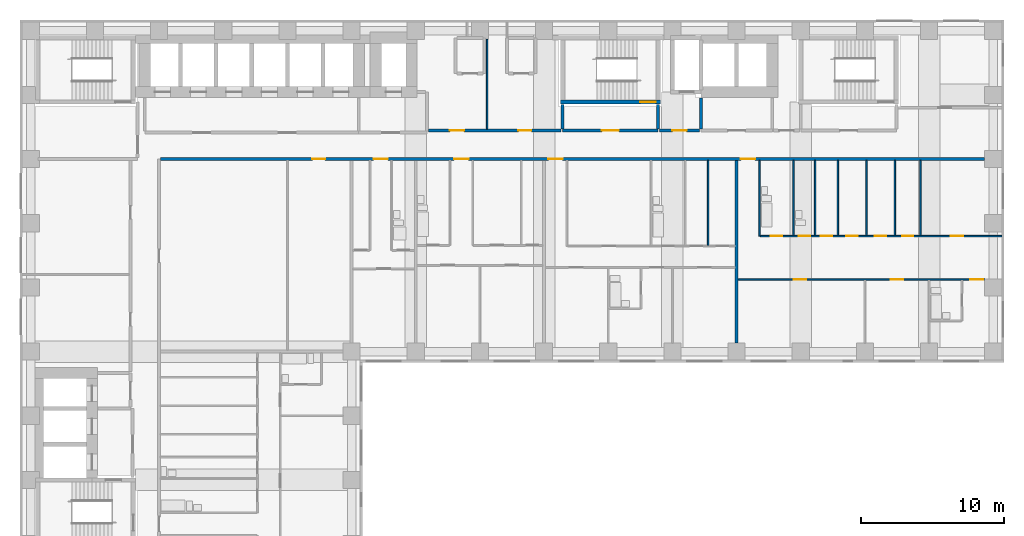
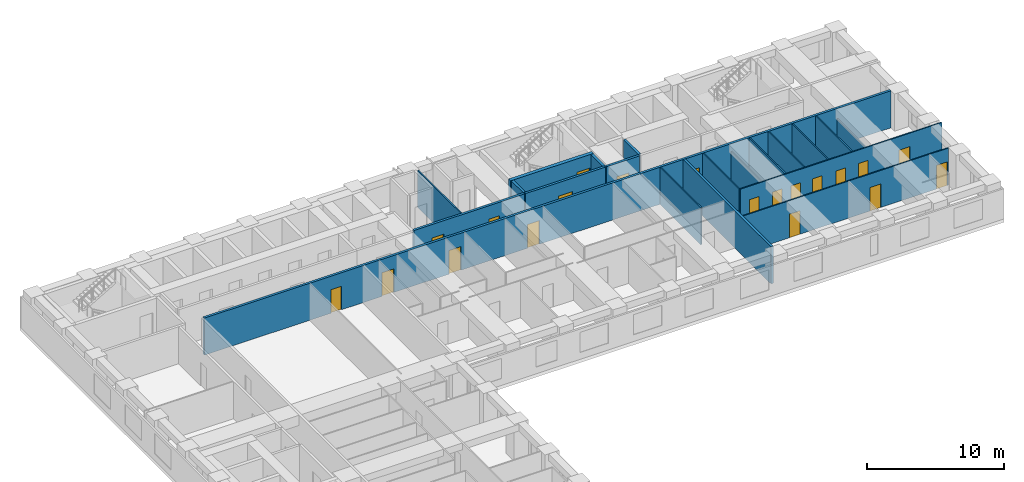
# One storey, part 7 of 12: 20 doors, 20 walls, 20 openings.
"""IFC4 building model written with IfcOpenShell, lengths in metres."""

from ifc_helpers import new_model, si_unit, direction, frame, frame_2d, origin, place, context, subcontext, project, spatial, rectangle, extrude, material, layer, layer_set, type_object, element, fill, save


model = new_model("IFC4")

# Units and contexts
model_context = context("Model", 3, precision=1e-05, world=origin(), true_north=direction((0.0, 1.0)))
body_context = subcontext(model_context, "Body", "Model", "MODEL_VIEW")
ifc_project = project(units=[si_unit("LENGTHUNIT", "METRE"), si_unit("AREAUNIT", "SQUARE_METRE"), si_unit("VOLUMEUNIT", "CUBIC_METRE"), si_unit("PLANEANGLEUNIT", "RADIAN"), si_unit("MASSUNIT", "GRAM", prefix="KILO")], contexts=[model_context])

# Site, building, storey
site_placement = place(None, origin())
site = spatial("IfcSite", under=ifc_project, at=site_placement, CompositionType="ELEMENT")
building_placement = place(site_placement, origin())
building = spatial("IfcBuilding", under=site, at=building_placement, Name="Firuza Court", CompositionType="ELEMENT")
storey_placement = place(building_placement, frame((0.0, 0.0, 101.0)))
storey = spatial("IfcBuildingStorey", under=building, at=storey_placement, Name="L25", CompositionType="ELEMENT", Elevation=101.0)

# Walls
ifc_material_1 = material(Name="Moisture-resistant gypsum board partition")
ifc_layer_1 = layer(ifc_material_1, 0.10009765625)
ifc_layer_set_1 = layer_set([ifc_layer_1], Name="Moisture-resistant gypsum board partition")
wall_type_1 = type_object("IfcWallType", Name="Bathroom partition 100", PredefinedType="PLUMBINGWALL", material=ifc_layer_set_1)
wall_1_placement = place(storey_placement, frame((51.10009765625, 44.10009765625, 0.0), z_axis=(0.0, 0.0, 1.0), x_axis=(0.0, 1.0, 0.0)))
element("IfcWall", 1, at=wall_1_placement, inside=storey, type_object=wall_type_1, Name="Bathroom partition 100 L25", PredefinedType="PLUMBINGWALL", context=body_context, shape_type="SweptSolid", body=[
    extrude(rectangle(XDim=5.2998046875, YDim=0.10009765625, at=frame_2d((2.64990234375, 0.0))), origin(), (0.0, 0.0, 1.0), 3.300048828125),
])
wall_2_placement = place(storey_placement, frame((53.5, 44.14990234375, 0.0), z_axis=(0.0, 0.0, 1.0), x_axis=(0.0, 1.0, 0.0)))
element("IfcWall", 2, at=wall_2_placement, inside=storey, type_object=wall_type_1, Name="Bathroom partition 100 L25", PredefinedType="PLUMBINGWALL", context=body_context, shape_type="SweptSolid", body=[
    extrude(rectangle(XDim=5.25, YDim=0.10009765625, at=frame_2d((2.625, 0.0))), origin(), (0.0, 0.0, 1.0), 2.60009765625),
])
wall_3_placement = place(storey_placement, frame((55.0, 44.14990234375, 0.0), z_axis=(0.0, 0.0, 1.0), x_axis=(0.0, 1.0, 0.0)))
element("IfcWall", 3, at=wall_3_placement, inside=storey, type_object=wall_type_1, Name="Bathroom partition 100 L25", PredefinedType="PLUMBINGWALL", context=body_context, shape_type="SweptSolid", body=[
    extrude(rectangle(XDim=5.25, YDim=0.10009765625, at=frame_2d((2.625, 0.0))), origin(), (0.0, 0.0, 1.0), 3.300048828125),
])

# Wall, opening, door
ifc_material_2 = material(Name="Concrete C60/75", Category="concrete")
ifc_layer_2 = layer(ifc_material_2, 0.300048828125)
ifc_layer_set_2 = layer_set([ifc_layer_2], Name="Concrete C60/75")
wall_type_2 = type_object("IfcWallType", Name="Core wall 300 C60/75", PredefinedType="SHEAR", material=ifc_layer_set_2)
wall_4_placement = place(storey_placement, frame((37.14990234375, 53.5, -0.300048828125), z_axis=(0.0, 0.0, 1.0), x_axis=(1.0, 0.0, 0.0)))
wall_4 = element("IfcWall", 4, at=wall_4_placement, inside=storey, type_object=wall_type_2, Name="Core wall stair L25", PredefinedType="SHEAR", context=body_context, shape_type="SweptSolid", body=[
    extrude(rectangle(XDim=7.0, YDim=0.300048828125, at=frame_2d((3.5, 0.0))), origin(), (0.0, 0.0, 1.0), 3.60009765625),
])
opening_1_placement = place(wall_4_placement, frame((5.580078125, 0.0, 0.300048828125)))
opening_1 = element("IfcOpeningElement", 5, at=opening_1_placement, cuts=wall_4, Name="Opening D25013", PredefinedType="OPENING", context=body_context, shape_type="SweptSolid", body=[
    extrude(rectangle(XDim=1.10009765625, YDim=2.10009765625, at=frame_2d((0.550048828125, 1.050048828125))), frame((0.0, 0.162109375, 0.0), z_axis=(0.0, -1.0, 0.0), x_axis=(1.0, 0.0, 0.0)), (0.0, 0.0, 1.0), 0.323974609375),
])
ifc_material_3 = material(Name="Timber door leaf in hardwood frame", Category="wood")
door_type_1 = type_object("IfcDoorType", Name="Stair door 1100", OperationType="SINGLE_SWING_LEFT", PredefinedType="DOOR", material=ifc_material_3)
door_1_placement = place(opening_1_placement, origin())
door_1 = element("IfcDoor", 6, at=door_1_placement, inside=storey, type_object=door_type_1, Name="Stair door S1", OperationType="SINGLE_SWING_RIGHT", OverallHeight=2.10009765625, OverallWidth=1.10009765625, PredefinedType="DOOR", context=body_context, shape_type="SweptSolid", body=[
    extrude(rectangle(XDim=1.10009765625, YDim=2.10009765625, at=frame_2d((0.550048828125, 1.050048828125))), frame((0.0, 0.02490234375, 0.0), z_axis=(0.0, -1.0, 0.0), x_axis=(1.0, 0.0, 0.0)), (0.0, 0.0, 1.0), 0.050048828125),
])
fill(opening_1, door_1)

# Wall, openings, doors
ifc_material_4 = material(Name="Blockwork, plastered both sides", Category="masonry")
ifc_layer_3 = layer(ifc_material_4, 0.199951171875)
ifc_layer_set_3 = layer_set([ifc_layer_3], Name="Blockwork, plastered both sides")
wall_type_3 = type_object("IfcWallType", Name="Corridor wall 200", PredefinedType="PARTITIONING", material=ifc_layer_set_3)
wall_5_placement = place(storey_placement, frame((9.10009765625, 49.5, 0.0), z_axis=(0.0, 0.0, 1.0), x_axis=(1.0, 0.0, 0.0)))
wall_5 = element("IfcWall", 7, at=wall_5_placement, inside=storey, type_object=wall_type_3, Name="Corridor wall 200 L25", PredefinedType="PARTITIONING", context=body_context, shape_type="SweptSolid", body=[
    extrude(rectangle(XDim=57.7998046875, YDim=0.199951171875, at=frame_2d((28.89990234375, 0.0))), origin(), (0.0, 0.0, 1.0), 3.300048828125),
])
opening_2_placement = place(wall_5_placement, frame((14.949951171875, 0.0, 0.0)))
opening_2 = element("IfcOpeningElement", 8, at=opening_2_placement, cuts=wall_5, Name="Opening D25069", PredefinedType="OPENING", context=body_context, shape_type="SweptSolid", body=[
    extrude(rectangle(XDim=1.0, YDim=2.10009765625, at=frame_2d((0.5, 1.050048828125))), frame((0.0, 0.11181640625, 0.0), z_axis=(0.0, -1.0, 0.0), x_axis=(1.0, 0.0, 0.0)), (0.0, 0.0, 1.0), 0.223876953125),
])
opening_3_placement = place(wall_5_placement, frame((20.60009765625, 0.0, 0.0)))
opening_3 = element("IfcOpeningElement", 9, at=opening_3_placement, cuts=wall_5, Name="Opening D25070", PredefinedType="OPENING", context=body_context, shape_type="SweptSolid", body=[
    extrude(rectangle(XDim=1.0, YDim=2.10009765625, at=frame_2d((0.5, 1.050048828125))), frame((0.0, 0.11181640625, 0.0), z_axis=(0.0, -1.0, 0.0), x_axis=(1.0, 0.0, 0.0)), (0.0, 0.0, 1.0), 0.223876953125),
])
opening_4_placement = place(wall_5_placement, frame((27.199951171875, 0.0, 0.0)))
opening_4 = element("IfcOpeningElement", 10, at=opening_4_placement, cuts=wall_5, Name="Opening D25071", PredefinedType="OPENING", context=body_context, shape_type="SweptSolid", body=[
    extrude(rectangle(XDim=1.0, YDim=2.10009765625, at=frame_2d((0.5, 1.050048828125))), frame((0.0, 0.11181640625, 0.0), z_axis=(0.0, -1.0, 0.0), x_axis=(1.0, 0.0, 0.0)), (0.0, 0.0, 1.0), 0.223876953125),
])
opening_5_placement = place(wall_5_placement, frame((40.699951171875, 0.0, 0.0)))
opening_5 = element("IfcOpeningElement", 11, at=opening_5_placement, cuts=wall_5, Name="Opening D25072", PredefinedType="OPENING", context=body_context, shape_type="SweptSolid", body=[
    extrude(rectangle(XDim=1.0, YDim=2.10009765625, at=frame_2d((0.5, 1.050048828125))), frame((0.0, 0.11181640625, 0.0), z_axis=(0.0, -1.0, 0.0), x_axis=(1.0, 0.0, 0.0)), (0.0, 0.0, 1.0), 0.223876953125),
])
opening_6_placement = place(wall_5_placement, frame((10.64990234375, 0.0, 0.0)))
opening_6 = element("IfcOpeningElement", 12, at=opening_6_placement, cuts=wall_5, Name="Opening D25073", PredefinedType="OPENING", context=body_context, shape_type="SweptSolid", body=[
    extrude(rectangle(XDim=0.89990234375, YDim=2.10009765625, at=frame_2d((0.449951171875, 1.050048828125))), frame((0.0, 0.11181640625, 0.0), z_axis=(0.0, -1.0, 0.0), x_axis=(1.0, 0.0, 0.0)), (0.0, 0.0, 1.0), 0.223876953125),
])
ifc_material_5 = material(Name="Timber door leaf in hardwood frame", Category="wood")
door_type_2 = type_object("IfcDoorType", Name="Flat entrance door 1000", OperationType="SINGLE_SWING_LEFT", PredefinedType="DOOR", material=ifc_material_5)
door_2_placement = place(opening_2_placement, origin())
door_2 = element("IfcDoor", 13, at=door_2_placement, inside=storey, type_object=door_type_2, Name="Flat entrance door", OperationType="SINGLE_SWING_LEFT", OverallHeight=2.10009765625, OverallWidth=1.0, PredefinedType="DOOR", context=body_context, shape_type="SweptSolid", body=[
    extrude(rectangle(XDim=1.0, YDim=2.10009765625, at=frame_2d((0.5, 1.050048828125))), frame((0.0, 0.02490234375, 0.0), z_axis=(0.0, -1.0, 0.0), x_axis=(1.0, 0.0, 0.0)), (0.0, 0.0, 1.0), 0.050048828125),
])
fill(opening_2, door_2)
door_3_placement = place(opening_3_placement, origin())
door_3 = element("IfcDoor", 14, at=door_3_placement, inside=storey, type_object=door_type_2, Name="Flat entrance door", OperationType="SINGLE_SWING_LEFT", OverallHeight=2.10009765625, OverallWidth=1.0, PredefinedType="DOOR", context=body_context, shape_type="SweptSolid", body=[
    extrude(rectangle(XDim=1.0, YDim=2.10009765625, at=frame_2d((0.5, 1.050048828125))), frame((0.0, 0.02490234375, 0.0), z_axis=(0.0, -1.0, 0.0), x_axis=(1.0, 0.0, 0.0)), (0.0, 0.0, 1.0), 0.050048828125),
])
fill(opening_3, door_3)
door_4_placement = place(opening_4_placement, origin())
door_4 = element("IfcDoor", 15, at=door_4_placement, inside=storey, type_object=door_type_2, Name="Flat entrance door", OperationType="SINGLE_SWING_LEFT", OverallHeight=2.10009765625, OverallWidth=1.0, PredefinedType="DOOR", context=body_context, shape_type="SweptSolid", body=[
    extrude(rectangle(XDim=1.0, YDim=2.10009765625, at=frame_2d((0.5, 1.050048828125))), frame((0.0, 0.02490234375, 0.0), z_axis=(0.0, -1.0, 0.0), x_axis=(1.0, 0.0, 0.0)), (0.0, 0.0, 1.0), 0.050048828125),
])
fill(opening_4, door_4)
door_5_placement = place(opening_5_placement, origin())
door_5 = element("IfcDoor", 16, at=door_5_placement, inside=storey, type_object=door_type_2, Name="Flat entrance door", OperationType="SINGLE_SWING_LEFT", OverallHeight=2.10009765625, OverallWidth=1.0, PredefinedType="DOOR", context=body_context, shape_type="SweptSolid", body=[
    extrude(rectangle(XDim=1.0, YDim=2.10009765625, at=frame_2d((0.5, 1.050048828125))), frame((0.0, 0.02490234375, 0.0), z_axis=(0.0, -1.0, 0.0), x_axis=(1.0, 0.0, 0.0)), (0.0, 0.0, 1.0), 0.050048828125),
])
fill(opening_5, door_5)
ifc_material_6 = material(Name="Timber door leaf in hardwood frame", Category="wood")
door_type_3 = type_object("IfcDoorType", Name="Room door 900 EI 30", OperationType="SINGLE_SWING_LEFT", PredefinedType="DOOR", material=ifc_material_6)
door_6_placement = place(opening_6_placement, frame((0.89990234375, 0.0, 0.0), z_axis=(0.0, 0.0, 1.0), x_axis=(-1.0, 0.0, 0.0)))
door_6 = element("IfcDoor", 17, at=door_6_placement, inside=storey, type_object=door_type_3, Name="Games room door", OperationType="SINGLE_SWING_RIGHT", OverallHeight=2.10009765625, OverallWidth=0.89990234375, PredefinedType="DOOR", context=body_context, shape_type="SweptSolid", body=[
    extrude(rectangle(XDim=0.89990234375, YDim=2.10009765625, at=frame_2d((0.449951171875, 1.050048828125))), frame((0.0, 0.02490234375, 0.0), z_axis=(0.0, -1.0, 0.0), x_axis=(1.0, 0.0, 0.0)), (0.0, 0.0, 1.0), 0.050048828125),
])
fill(opening_6, door_6)

wall_6_placement = place(storey_placement, frame((27.89990234375, 51.5, 0.0), z_axis=(0.0, 0.0, 1.0), x_axis=(1.0, 0.0, 0.0)))
wall_6 = element("IfcWall", 18, at=wall_6_placement, inside=storey, type_object=wall_type_3, Name="Corridor wall 200 L25", PredefinedType="PARTITIONING", context=body_context, shape_type="SweptSolid", body=[
    extrude(rectangle(XDim=9.300048828125, YDim=0.199951171875, at=frame_2d((4.64990234375, 0.0))), origin(), (0.0, 0.0, 1.0), 3.300048828125),
])
opening_7_placement = place(wall_6_placement, frame((1.5, 0.0, 0.0)))
opening_7 = element("IfcOpeningElement", 19, at=opening_7_placement, cuts=wall_6, Name="Opening D25074", PredefinedType="OPENING", context=body_context, shape_type="SweptSolid", body=[
    extrude(rectangle(XDim=1.0, YDim=2.10009765625, at=frame_2d((0.5, 1.050048828125))), frame((0.0, 0.11181640625, 0.0), z_axis=(0.0, -1.0, 0.0), x_axis=(1.0, 0.0, 0.0)), (0.0, 0.0, 1.0), 0.223876953125),
])
opening_8_placement = place(wall_6_placement, frame((6.300048828125, 0.0, 0.0)))
opening_8 = element("IfcOpeningElement", 20, at=opening_8_placement, cuts=wall_6, Name="Opening D25075", PredefinedType="OPENING", context=body_context, shape_type="SweptSolid", body=[
    extrude(rectangle(XDim=0.89990234375, YDim=2.10009765625, at=frame_2d((0.449951171875, 1.050048828125))), frame((0.0, 0.11181640625, 0.0), z_axis=(0.0, -1.0, 0.0), x_axis=(1.0, 0.0, 0.0)), (0.0, 0.0, 1.0), 0.223876953125),
])
door_7_placement = place(opening_8_placement, origin())
door_7 = element("IfcDoor", 21, at=door_7_placement, inside=storey, type_object=door_type_3, Name="Concierge room door", OperationType="SINGLE_SWING_LEFT", OverallHeight=2.10009765625, OverallWidth=0.89990234375, PredefinedType="DOOR", context=body_context, shape_type="SweptSolid", body=[
    extrude(rectangle(XDim=0.89990234375, YDim=2.10009765625, at=frame_2d((0.449951171875, 1.050048828125))), frame((0.0, 0.02490234375, 0.0), z_axis=(0.0, -1.0, 0.0), x_axis=(1.0, 0.0, 0.0)), (0.0, 0.0, 1.0), 0.050048828125),
])
fill(opening_8, door_7)
ifc_material_7 = material(Name="Timber door leaf in hardwood frame", Category="wood")
door_type_4 = type_object("IfcDoorType", Name="Store door 1000", OperationType="SINGLE_SWING_LEFT", PredefinedType="DOOR", material=ifc_material_7)
door_8_placement = place(opening_7_placement, origin())
door_8 = element("IfcDoor", 22, at=door_8_placement, inside=storey, type_object=door_type_4, Name="Cleaner's store door", OperationType="SINGLE_SWING_LEFT", OverallHeight=2.10009765625, OverallWidth=1.0, PredefinedType="DOOR", context=body_context, shape_type="SweptSolid", body=[
    extrude(rectangle(XDim=1.0, YDim=2.10009765625, at=frame_2d((0.5, 1.050048828125))), frame((0.0, 0.02490234375, 0.0), z_axis=(0.0, -1.0, 0.0), x_axis=(1.0, 0.0, 0.0)), (0.0, 0.0, 1.0), 0.050048828125),
])
fill(opening_7, door_8)

# Wall, opening, door
wall_7_placement = place(storey_placement, frame((44.10009765625, 51.5, 0.0), z_axis=(0.0, 0.0, 1.0), x_axis=(1.0, 0.0, 0.0)))
wall_7 = element("IfcWall", 23, at=wall_7_placement, inside=storey, type_object=wall_type_3, Name="Corridor wall 200 L25", PredefinedType="PARTITIONING", context=body_context, shape_type="SweptSolid", body=[
    extrude(rectangle(XDim=2.7998046875, YDim=0.199951171875, at=frame_2d((1.39990234375, 0.0))), origin(), (0.0, 0.0, 1.0), 3.300048828125),
])
opening_9_placement = place(wall_7_placement, frame((0.89990234375, 0.0, 0.0)))
opening_9 = element("IfcOpeningElement", 24, at=opening_9_placement, cuts=wall_7, Name="Opening D25076", PredefinedType="OPENING", context=body_context, shape_type="SweptSolid", body=[
    extrude(rectangle(XDim=1.0, YDim=2.10009765625, at=frame_2d((0.5, 1.050048828125))), frame((0.0, 0.11181640625, 0.0), z_axis=(0.0, -1.0, 0.0), x_axis=(1.0, 0.0, 0.0)), (0.0, 0.0, 1.0), 0.223876953125),
])
door_9_placement = place(opening_9_placement, origin())
door_9 = element("IfcDoor", 25, at=door_9_placement, inside=storey, type_object=door_type_4, Name="Valet store door", OperationType="SINGLE_SWING_LEFT", OverallHeight=2.10009765625, OverallWidth=1.0, PredefinedType="DOOR", context=body_context, shape_type="SweptSolid", body=[
    extrude(rectangle(XDim=1.0, YDim=2.10009765625, at=frame_2d((0.5, 1.050048828125))), frame((0.0, 0.02490234375, 0.0), z_axis=(0.0, -1.0, 0.0), x_axis=(1.0, 0.0, 0.0)), (0.0, 0.0, 1.0), 0.050048828125),
])
fill(opening_9, door_9)

# Wall, openings, doors
ifc_material_8 = material(Name="Timber stud partition, plasterboard both sides", Category="wood")
ifc_layer_4 = layer(ifc_material_8, 0.10009765625)
ifc_layer_set_4 = layer_set([ifc_layer_4], Name="Timber stud partition, plasterboard both sides")
wall_type_4 = type_object("IfcWallType", Name="Partition wall 100", PredefinedType="PARTITIONING", material=ifc_layer_set_4)
wall_8_placement = place(storey_placement, frame((49.60009765625, 41.050048828125, 0.0), z_axis=(0.0, 0.0, 1.0), x_axis=(1.0, 0.0, 0.0)))
wall_8 = element("IfcWall", 26, at=wall_8_placement, inside=storey, type_object=wall_type_4, Name="Partition wall 100 L25", PredefinedType="PARTITIONING", context=body_context, shape_type="SweptSolid", body=[
    extrude(rectangle(XDim=17.2998046875, YDim=0.10009765625, at=frame_2d((8.64990234375, 0.0))), origin(), (0.0, 0.0, 1.0), 3.300048828125),
])
opening_10_placement = place(wall_8_placement, frame((3.89990234375, 0.0, 0.0)))
opening_10 = element("IfcOpeningElement", 27, at=opening_10_placement, cuts=wall_8, Name="Opening D25044", PredefinedType="OPENING", context=body_context, shape_type="SweptSolid", body=[
    extrude(rectangle(XDim=0.89990234375, YDim=2.10009765625, at=frame_2d((0.449951171875, 1.050048828125))), frame((0.0, 0.06201171875, 0.0), z_axis=(0.0, -1.0, 0.0), x_axis=(1.0, 0.0, 0.0)), (0.0, 0.0, 1.0), 0.1240234375),
])
opening_11_placement = place(wall_8_placement, frame((10.699951171875, 0.0, 0.0)))
opening_11 = element("IfcOpeningElement", 28, at=opening_11_placement, cuts=wall_8, Name="Opening D25045", PredefinedType="OPENING", context=body_context, shape_type="SweptSolid", body=[
    extrude(rectangle(XDim=0.89990234375, YDim=2.10009765625, at=frame_2d((0.449951171875, 1.050048828125))), frame((0.0, 0.06201171875, 0.0), z_axis=(0.0, -1.0, 0.0), x_axis=(1.0, 0.0, 0.0)), (0.0, 0.0, 1.0), 0.1240234375),
])
opening_12_placement = place(wall_8_placement, frame((16.300048828125, 0.0, 0.0)))
opening_12 = element("IfcOpeningElement", 29, at=opening_12_placement, cuts=wall_8, Name="Opening D25046", PredefinedType="OPENING", context=body_context, shape_type="SweptSolid", body=[
    extrude(rectangle(XDim=0.89990234375, YDim=2.10009765625, at=frame_2d((0.449951171875, 1.050048828125))), frame((0.0, 0.06201171875, 0.0), z_axis=(0.0, -1.0, 0.0), x_axis=(1.0, 0.0, 0.0)), (0.0, 0.0, 1.0), 0.1240234375),
])
ifc_material_9 = material(Name="Timber door leaf in hardwood frame", Category="wood")
door_type_5 = type_object("IfcDoorType", Name="Room door 900", OperationType="SINGLE_SWING_LEFT", PredefinedType="DOOR", material=ifc_material_9)
door_10_placement = place(opening_10_placement, frame((0.89990234375, 0.0, 0.0), z_axis=(0.0, 0.0, 1.0), x_axis=(-1.0, 0.0, 0.0)))
door_10 = element("IfcDoor", 30, at=door_10_placement, inside=storey, type_object=door_type_5, Name="Living room door", OperationType="SINGLE_SWING_RIGHT", OverallHeight=2.10009765625, OverallWidth=0.89990234375, PredefinedType="DOOR", context=body_context, shape_type="SweptSolid", body=[
    extrude(rectangle(XDim=0.89990234375, YDim=2.10009765625, at=frame_2d((0.449951171875, 1.050048828125))), frame((0.0, 0.02490234375, 0.0), z_axis=(0.0, -1.0, 0.0), x_axis=(1.0, 0.0, 0.0)), (0.0, 0.0, 1.0), 0.050048828125),
])
fill(opening_10, door_10)
door_11_placement = place(opening_11_placement, frame((0.89990234375, 0.0, 0.0), z_axis=(0.0, 0.0, 1.0), x_axis=(-1.0, 0.0, 0.0)))
door_11 = element("IfcDoor", 31, at=door_11_placement, inside=storey, type_object=door_type_5, Name="Bedroom door", OperationType="SINGLE_SWING_RIGHT", OverallHeight=2.10009765625, OverallWidth=0.89990234375, PredefinedType="DOOR", context=body_context, shape_type="SweptSolid", body=[
    extrude(rectangle(XDim=0.89990234375, YDim=2.10009765625, at=frame_2d((0.449951171875, 1.050048828125))), frame((0.0, 0.02490234375, 0.0), z_axis=(0.0, -1.0, 0.0), x_axis=(1.0, 0.0, 0.0)), (0.0, 0.0, 1.0), 0.050048828125),
])
fill(opening_11, door_11)
door_12_placement = place(opening_12_placement, frame((0.89990234375, 0.0, 0.0), z_axis=(0.0, 0.0, 1.0), x_axis=(-1.0, 0.0, 0.0)))
door_12 = element("IfcDoor", 32, at=door_12_placement, inside=storey, type_object=door_type_5, Name="Bedroom door", OperationType="SINGLE_SWING_LEFT", OverallHeight=2.10009765625, OverallWidth=0.89990234375, PredefinedType="DOOR", context=body_context, shape_type="SweptSolid", body=[
    extrude(rectangle(XDim=0.89990234375, YDim=2.10009765625, at=frame_2d((0.449951171875, 1.050048828125))), frame((0.0, 0.02490234375, 0.0), z_axis=(0.0, -1.0, 0.0), x_axis=(1.0, 0.0, 0.0)), (0.0, 0.0, 1.0), 0.050048828125),
])
fill(opening_12, door_12)

# Wall
wall_9_placement = place(storey_placement, frame((47.5, 43.449951171875, 0.0), z_axis=(0.0, 0.0, 1.0), x_axis=(0.0, 1.0, 0.0)))
element("IfcWall", 33, at=wall_9_placement, inside=storey, type_object=wall_type_4, Name="Partition wall 100 L25", PredefinedType="PARTITIONING", context=body_context, shape_type="SweptSolid", body=[
    extrude(rectangle(XDim=5.949951171875, YDim=0.10009765625, at=frame_2d((2.97509765625, 0.0))), origin(), (0.0, 0.0, 1.0), 3.300048828125),
])

# Wall, openings, doors
wall_10_placement = place(storey_placement, frame((51.14990234375, 44.10009765625, 0.0), z_axis=(0.0, 0.0, 1.0), x_axis=(1.0, 0.0, 0.0)))
wall_10 = element("IfcWall", 34, at=wall_10_placement, inside=storey, type_object=wall_type_4, Name="Partition wall 100 L25", PredefinedType="PARTITIONING", context=body_context, shape_type="SweptSolid", body=[
    extrude(rectangle(XDim=16.9501953125, YDim=0.10009765625, at=frame_2d((8.47509765625, 0.0))), origin(), (0.0, 0.0, 1.0), 3.300048828125),
])
opening_13_placement = place(wall_10_placement, frame((0.75, 0.0, 0.0)))
opening_13 = element("IfcOpeningElement", 35, at=opening_13_placement, cuts=wall_10, Name="Opening D25062", PredefinedType="OPENING", context=body_context, shape_type="SweptSolid", body=[
    extrude(rectangle(XDim=0.800048828125, YDim=2.10009765625, at=frame_2d((0.39990234375, 1.050048828125))), frame((0.0, 0.06201171875, 0.0), z_axis=(0.0, -1.0, 0.0), x_axis=(1.0, 0.0, 0.0)), (0.0, 0.0, 1.0), 0.1240234375),
])
opening_14_placement = place(wall_10_placement, frame((13.35009765625, 0.0, 0.0)))
opening_14 = element("IfcOpeningElement", 36, at=opening_14_placement, cuts=wall_10, Name="Opening D25063", PredefinedType="OPENING", context=body_context, shape_type="SweptSolid", body=[
    extrude(rectangle(XDim=0.89990234375, YDim=2.10009765625, at=frame_2d((0.449951171875, 1.050048828125))), frame((0.0, 0.06201171875, 0.0), z_axis=(0.0, -1.0, 0.0), x_axis=(1.0, 0.0, 0.0)), (0.0, 0.0, 1.0), 0.1240234375),
])
opening_15_placement = place(wall_10_placement, frame((8.050048828125, 0.0, 0.0)))
opening_15 = element("IfcOpeningElement", 37, at=opening_15_placement, cuts=wall_10, Name="Opening D25064", PredefinedType="OPENING", context=body_context, shape_type="SweptSolid", body=[
    extrude(rectangle(XDim=0.800048828125, YDim=2.10009765625, at=frame_2d((0.39990234375, 1.050048828125))), frame((0.0, 0.06201171875, 0.0), z_axis=(0.0, -1.0, 0.0), x_axis=(1.0, 0.0, 0.0)), (0.0, 0.0, 1.0), 0.1240234375),
])
opening_16_placement = place(wall_10_placement, frame((4.25, 0.0, 0.0)))
opening_16 = element("IfcOpeningElement", 38, at=opening_16_placement, cuts=wall_10, Name="Opening D25065", PredefinedType="OPENING", context=body_context, shape_type="SweptSolid", body=[
    extrude(rectangle(XDim=0.800048828125, YDim=2.10009765625, at=frame_2d((0.39990234375, 1.050048828125))), frame((0.0, 0.06201171875, 0.0), z_axis=(0.0, -1.0, 0.0), x_axis=(1.0, 0.0, 0.0)), (0.0, 0.0, 1.0), 0.1240234375),
])
opening_17_placement = place(wall_10_placement, frame((6.050048828125, 0.0, 0.0)))
opening_17 = element("IfcOpeningElement", 39, at=opening_17_placement, cuts=wall_10, Name="Opening D25066", PredefinedType="OPENING", context=body_context, shape_type="SweptSolid", body=[
    extrude(rectangle(XDim=0.800048828125, YDim=2.10009765625, at=frame_2d((0.39990234375, 1.050048828125))), frame((0.0, 0.06201171875, 0.0), z_axis=(0.0, -1.0, 0.0), x_axis=(1.0, 0.0, 0.0)), (0.0, 0.0, 1.0), 0.1240234375),
])
opening_18_placement = place(wall_10_placement, frame((9.949951171875, 0.0, 0.0)))
opening_18 = element("IfcOpeningElement", 40, at=opening_18_placement, cuts=wall_10, Name="Opening D25067", PredefinedType="OPENING", context=body_context, shape_type="SweptSolid", body=[
    extrude(rectangle(XDim=0.800048828125, YDim=2.10009765625, at=frame_2d((0.39990234375, 1.050048828125))), frame((0.0, 0.06201171875, 0.0), z_axis=(0.0, -1.0, 0.0), x_axis=(1.0, 0.0, 0.0)), (0.0, 0.0, 1.0), 0.1240234375),
])
opening_19_placement = place(wall_10_placement, frame((2.699951171875, 0.0, 0.0)))
opening_19 = element("IfcOpeningElement", 41, at=opening_19_placement, cuts=wall_10, Name="Opening D25068", PredefinedType="OPENING", context=body_context, shape_type="SweptSolid", body=[
    extrude(rectangle(XDim=0.800048828125, YDim=2.10009765625, at=frame_2d((0.39990234375, 1.050048828125))), frame((0.0, 0.06201171875, 0.0), z_axis=(0.0, -1.0, 0.0), x_axis=(1.0, 0.0, 0.0)), (0.0, 0.0, 1.0), 0.1240234375),
])
ifc_material_10 = material(Name="Timber door leaf in hardwood frame", Category="wood")
door_type_6 = type_object("IfcDoorType", Name="Bathroom door 800", OperationType="SINGLE_SWING_LEFT", PredefinedType="DOOR", material=ifc_material_10)
door_13_placement = place(opening_13_placement, origin())
door_13 = element("IfcDoor", 42, at=door_13_placement, inside=storey, type_object=door_type_6, Name="Bathroom door", OperationType="SINGLE_SWING_LEFT", OverallHeight=2.10009765625, OverallWidth=0.800048828125, PredefinedType="DOOR", context=body_context, shape_type="SweptSolid", body=[
    extrude(rectangle(XDim=0.800048828125, YDim=2.10009765625, at=frame_2d((0.39990234375, 1.050048828125))), frame((0.0, 0.02490234375, 0.0), z_axis=(0.0, -1.0, 0.0), x_axis=(1.0, 0.0, 0.0)), (0.0, 0.0, 1.0), 0.050048828125),
])
fill(opening_13, door_13)
door_14_placement = place(opening_19_placement, origin())
door_14 = element("IfcDoor", 43, at=door_14_placement, inside=storey, type_object=door_type_6, Name="Powder room door", OperationType="SINGLE_SWING_LEFT", OverallHeight=2.10009765625, OverallWidth=0.800048828125, PredefinedType="DOOR", context=body_context, shape_type="SweptSolid", body=[
    extrude(rectangle(XDim=0.800048828125, YDim=2.10009765625, at=frame_2d((0.39990234375, 1.050048828125))), frame((0.0, 0.02490234375, 0.0), z_axis=(0.0, -1.0, 0.0), x_axis=(1.0, 0.0, 0.0)), (0.0, 0.0, 1.0), 0.050048828125),
])
fill(opening_19, door_14)
ifc_material_11 = material(Name="Timber door leaf in hardwood frame", Category="wood")
door_type_7 = type_object("IfcDoorType", Name="Room door 800", OperationType="SINGLE_SWING_LEFT", PredefinedType="DOOR", material=ifc_material_11)
door_15_placement = place(opening_15_placement, origin())
door_15 = element("IfcDoor", 44, at=door_15_placement, inside=storey, type_object=door_type_7, Name="Pantry door", OperationType="SINGLE_SWING_LEFT", OverallHeight=2.10009765625, OverallWidth=0.800048828125, PredefinedType="DOOR", context=body_context, shape_type="SweptSolid", body=[
    extrude(rectangle(XDim=0.800048828125, YDim=2.10009765625, at=frame_2d((0.39990234375, 1.050048828125))), frame((0.0, 0.02490234375, 0.0), z_axis=(0.0, -1.0, 0.0), x_axis=(1.0, 0.0, 0.0)), (0.0, 0.0, 1.0), 0.050048828125),
])
fill(opening_15, door_15)
door_16_placement = place(opening_16_placement, origin())
door_16 = element("IfcDoor", 45, at=door_16_placement, inside=storey, type_object=door_type_7, Name="Store door", OperationType="SINGLE_SWING_LEFT", OverallHeight=2.10009765625, OverallWidth=0.800048828125, PredefinedType="DOOR", context=body_context, shape_type="SweptSolid", body=[
    extrude(rectangle(XDim=0.800048828125, YDim=2.10009765625, at=frame_2d((0.39990234375, 1.050048828125))), frame((0.0, 0.02490234375, 0.0), z_axis=(0.0, -1.0, 0.0), x_axis=(1.0, 0.0, 0.0)), (0.0, 0.0, 1.0), 0.050048828125),
])
fill(opening_16, door_16)
door_17_placement = place(opening_17_placement, origin())
door_17 = element("IfcDoor", 46, at=door_17_placement, inside=storey, type_object=door_type_7, Name="Utility room door", OperationType="SINGLE_SWING_LEFT", OverallHeight=2.10009765625, OverallWidth=0.800048828125, PredefinedType="DOOR", context=body_context, shape_type="SweptSolid", body=[
    extrude(rectangle(XDim=0.800048828125, YDim=2.10009765625, at=frame_2d((0.39990234375, 1.050048828125))), frame((0.0, 0.02490234375, 0.0), z_axis=(0.0, -1.0, 0.0), x_axis=(1.0, 0.0, 0.0)), (0.0, 0.0, 1.0), 0.050048828125),
])
fill(opening_17, door_17)
door_18_placement = place(opening_18_placement, origin())
door_18 = element("IfcDoor", 47, at=door_18_placement, inside=storey, type_object=door_type_7, Name="Walk-in wardrobe door", OperationType="SINGLE_SWING_LEFT", OverallHeight=2.10009765625, OverallWidth=0.800048828125, PredefinedType="DOOR", context=body_context, shape_type="SweptSolid", body=[
    extrude(rectangle(XDim=0.800048828125, YDim=2.10009765625, at=frame_2d((0.39990234375, 1.050048828125))), frame((0.0, 0.02490234375, 0.0), z_axis=(0.0, -1.0, 0.0), x_axis=(1.0, 0.0, 0.0)), (0.0, 0.0, 1.0), 0.050048828125),
])
fill(opening_18, door_18)
door_19_placement = place(opening_14_placement, origin())
door_19 = element("IfcDoor", 48, at=door_19_placement, inside=storey, type_object=door_type_5, Name="Kitchen door", OperationType="SINGLE_SWING_LEFT", OverallHeight=2.10009765625, OverallWidth=0.89990234375, PredefinedType="DOOR", context=body_context, shape_type="SweptSolid", body=[
    extrude(rectangle(XDim=0.89990234375, YDim=2.10009765625, at=frame_2d((0.449951171875, 1.050048828125))), frame((0.0, 0.02490234375, 0.0), z_axis=(0.0, -1.0, 0.0), x_axis=(1.0, 0.0, 0.0)), (0.0, 0.0, 1.0), 0.050048828125),
])
fill(opening_14, door_19)

# Walls
for number, where, z_axis, x_axis, name in (
    (49, (56.60009765625, 44.14990234375, 0.0), (0.0, 0.0, 1.0), (0.0, 1.0, 0.0), "Partition wall 100 L25"),
    (50, (58.60009765625, 44.14990234375, 0.0), (0.0, 0.0, 1.0), (0.0, 1.0, 0.0), "Partition wall 100 L25"),
    (51, (60.60009765625, 44.14990234375, 0.0), (0.0, 0.0, 1.0), (0.0, 1.0, 0.0), "Partition wall 100 L25"),
):
    element("IfcWall", number, at=place(storey_placement, frame(where, z_axis=z_axis, x_axis=x_axis)), inside=storey, type_object=wall_type_4, Name=name, PredefinedType="PARTITIONING", context=body_context, shape_type="SweptSolid", body=[
        extrude(rectangle(XDim=5.25, YDim=0.10009765625, at=frame_2d((2.625, 0.0))), origin(), (0.0, 0.0, 1.0), 3.300048828125),
    ])
wall_11_placement = place(storey_placement, frame((62.39990234375, 44.14990234375, 0.0), z_axis=(0.0, 0.0, 1.0), x_axis=(0.0, 1.0, 0.0)))
element("IfcWall", 52, at=wall_11_placement, inside=storey, type_object=wall_type_4, Name="Partition wall 100 L25", PredefinedType="PARTITIONING", context=body_context, shape_type="SweptSolid", body=[
    extrude(rectangle(XDim=5.25, YDim=0.10009765625, at=frame_2d((2.625, 0.0))), origin(), (0.0, 0.0, 1.0), 2.39990234375),
])
wall_12_placement = place(storey_placement, frame((32.0, 51.60009765625, 0.0), z_axis=(0.0, 0.0, 1.0), x_axis=(0.0, 1.0, 0.0)))
element("IfcWall", 53, at=wall_12_placement, inside=storey, type_object=wall_type_4, Name="Partition wall 100 L25", PredefinedType="PARTITIONING", context=body_context, shape_type="SweptSolid", body=[
    extrude(rectangle(XDim=6.2998046875, YDim=0.10009765625, at=frame_2d((3.14990234375, 0.0))), origin(), (0.0, 0.0, 1.0), 3.300048828125),
])
ifc_layer_5 = layer(ifc_material_4, 0.199951171875)
ifc_layer_set_5 = layer_set([ifc_layer_5], Name="Blockwork, plastered both sides")
wall_type_5 = type_object("IfcWallType", Name="Party wall 200", PredefinedType="PARTITIONING", material=ifc_layer_set_5)
wall_13_placement = place(storey_placement, frame((49.5, 36.60009765625, 0.0), z_axis=(0.0, 0.0, 1.0), x_axis=(0.0, 1.0, 0.0)))
element("IfcWall", 54, at=wall_13_placement, inside=storey, type_object=wall_type_5, Name="Party wall 200 L25", PredefinedType="PARTITIONING", context=body_context, shape_type="SweptSolid", body=[
    extrude(rectangle(XDim=12.7998046875, YDim=0.199951171875, at=frame_2d((6.39990234375, 0.0))), origin(), (0.0, 0.0, 1.0), 3.300048828125),
])
ifc_material_12 = material(Name="Blockwork, fire-rated", Category="masonry")
ifc_layer_6 = layer(ifc_material_12, 0.199951171875)
ifc_layer_set_6 = layer_set([ifc_layer_6], Name="Blockwork, fire-rated")
wall_type_6 = type_object("IfcWallType", Name="Shaft wall 200", PredefinedType="PARTITIONING", material=ifc_layer_set_6)
wall_14_placement = place(storey_placement, frame((47.0, 51.60009765625, 0.0), z_axis=(0.0, 0.0, 1.0), x_axis=(0.0, 1.0, 0.0)))
element("IfcWall", 55, at=wall_14_placement, inside=storey, type_object=wall_type_6, Name="Shaft wall 200 L25", PredefinedType="PARTITIONING", context=body_context, shape_type="SweptSolid", body=[
    extrude(rectangle(XDim=2.179931640625, YDim=0.199951171875, at=frame_2d((1.08984375, 0.0))), origin(), (0.0, 0.0, 1.0), 3.300048828125),
])

# Wall, opening, door
wall_15_placement = place(storey_placement, frame((37.300048828125, 51.5, 0.0), z_axis=(0.0, 0.0, 1.0), x_axis=(1.0, 0.0, 0.0)))
wall_15 = element("IfcWall", 56, at=wall_15_placement, inside=storey, type_object=wall_type_6, Name="Shaft wall 200 L25", PredefinedType="PARTITIONING", context=body_context, shape_type="SweptSolid", body=[
    extrude(rectangle(XDim=6.699951171875, YDim=0.199951171875, at=frame_2d((3.35009765625, 0.0))), origin(), (0.0, 0.0, 1.0), 3.300048828125),
])
opening_20_placement = place(wall_15_placement, frame((2.75, 0.0, 0.0)))
opening_20 = element("IfcOpeningElement", 57, at=opening_20_placement, cuts=wall_15, Name="Opening D25006", PredefinedType="OPENING", context=body_context, shape_type="SweptSolid", body=[
    extrude(rectangle(XDim=1.199951171875, YDim=2.10009765625, at=frame_2d((0.60009765625, 1.050048828125))), frame((0.0, 0.11181640625, 0.0), z_axis=(0.0, -1.0, 0.0), x_axis=(1.0, 0.0, 0.0)), (0.0, 0.0, 1.0), 0.223876953125),
])
ifc_material_13 = material(Name="Timber door leaf in hardwood frame", Category="wood")
door_type_8 = type_object("IfcDoorType", Name="Lobby door 1200", OperationType="SINGLE_SWING_LEFT", PredefinedType="DOOR", material=ifc_material_13)
door_20_placement = place(opening_20_placement, origin())
door_20 = element("IfcDoor", 58, at=door_20_placement, inside=storey, type_object=door_type_8, Name="Lobby door", OperationType="SINGLE_SWING_LEFT", OverallHeight=2.10009765625, OverallWidth=1.199951171875, PredefinedType="DOOR", context=body_context, shape_type="SweptSolid", body=[
    extrude(rectangle(XDim=1.199951171875, YDim=2.10009765625, at=frame_2d((0.60009765625, 1.050048828125))), frame((0.0, 0.02490234375, 0.0), z_axis=(0.0, -1.0, 0.0), x_axis=(1.0, 0.0, 0.0)), (0.0, 0.0, 1.0), 0.050048828125),
])
fill(opening_20, door_20)

# Walls
for number, where, z_axis, x_axis, name in (
    (59, (44.0, 51.60009765625, 0.0), (0.0, 0.0, 1.0), (0.0, 1.0, 0.0), "Shaft wall 200 L25"),
    (60, (37.300048828125, 51.60009765625, 0.0), (0.0, 0.0, 1.0), (0.0, 1.0, 0.0), "Shaft wall 200 L25"),
):
    element("IfcWall", number, at=place(storey_placement, frame(where, z_axis=z_axis, x_axis=x_axis)), inside=storey, type_object=wall_type_6, Name=name, PredefinedType="PARTITIONING", context=body_context, shape_type="SweptSolid", body=[
        extrude(rectangle(XDim=1.72998046875, YDim=0.199951171875, at=frame_2d((0.864990234375, 0.0))), origin(), (0.0, 0.0, 1.0), 3.300048828125),
    ])

save(model, "model.ifc")
